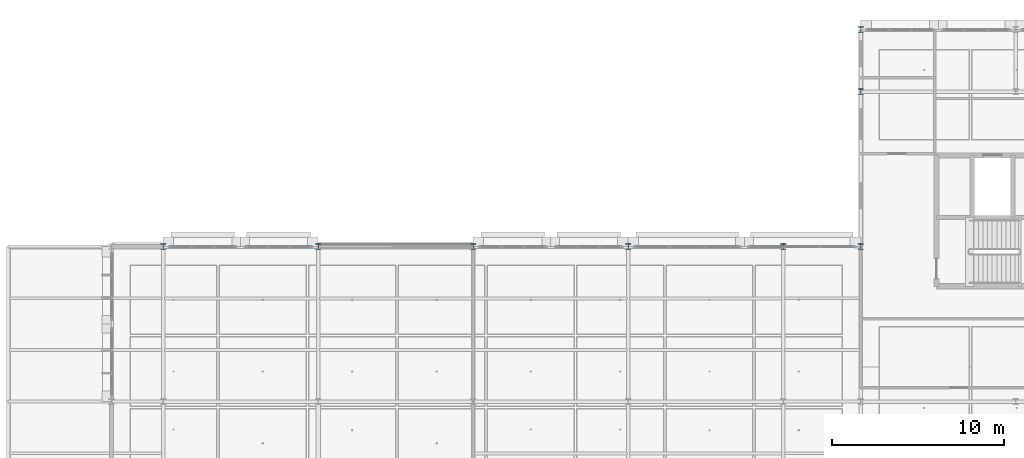
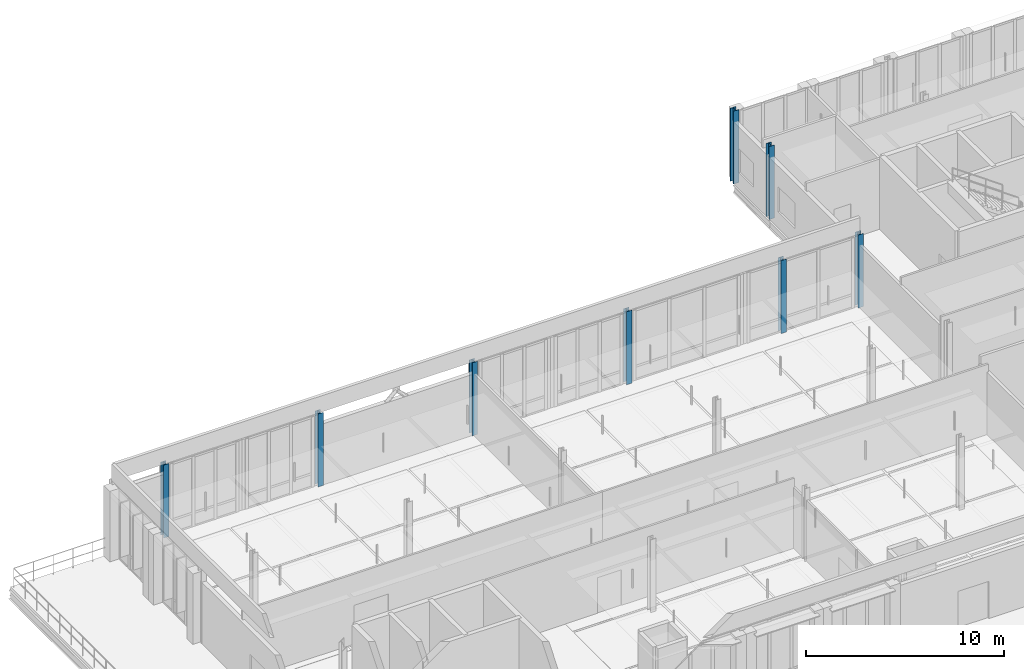
# One storey, part 12 of 89: 8 columns.
"""IFC4 building model written with IfcOpenShell, lengths in metres."""

from ifc_helpers import new_model, si_unit, direction, frame, origin, origin_2d, place, context, subcontext, project, spatial, i_section, extrude, material, material_profile, profile_set, type_object, element, save


model = new_model("IFC4")

# Units and contexts
model_context = context("Model", 3, precision=1e-05, world=origin(), true_north=direction((0.0, 1.0)))
body_context = subcontext(model_context, "Body", "Model", "MODEL_VIEW")
ifc_project = project(units=[si_unit("LENGTHUNIT", "METRE"), si_unit("AREAUNIT", "SQUARE_METRE"), si_unit("VOLUMEUNIT", "CUBIC_METRE"), si_unit("PLANEANGLEUNIT", "RADIAN"), si_unit("MASSUNIT", "GRAM", prefix="KILO"), si_unit("THERMODYNAMICTEMPERATUREUNIT", "KELVIN"), si_unit("POWERUNIT", "WATT")], contexts=[model_context])

# Site, building, storey
site_placement = place(None, origin())
site = spatial("IfcSite", under=ifc_project, at=site_placement, CompositionType="ELEMENT")
building_placement = place(site_placement, origin())
building = spatial("IfcBuilding", under=site, at=building_placement, Name="Tallowbark Science Centre", CompositionType="ELEMENT")
storey_placement = place(building_placement, frame((0.0, 0.0, 14.39990234375)))
storey = spatial("IfcBuildingStorey", under=building, at=storey_placement, Name="L03", CompositionType="ELEMENT", Elevation=14.39990234375)

# Columns
ifc_material = material(Name="Structural Steel Grade 300PLUS (300 MPa)", Category="steel")
ifc_material_profile_1 = material_profile(ifc_material, i_section(OverallWidth=0.311279296875, OverallDepth=0.3271484375, WebThickness=0.015625, FlangeThickness=0.02490234375, FilletRadius=0.0166015625, at=origin_2d()), Name="310UC158")
ifc_profile_set_1 = profile_set([ifc_material_profile_1], Name="Structural Steel Grade 300PLUS (300 MPa)")
column_type_1 = type_object("IfcColumnType", Name="COL-UC310A", PredefinedType="COLUMN", material=ifc_profile_set_1)
for number, where, z_axis, x_axis, name in (
    (1, (112.5, 108.0, 0.0), (0.0, 0.0, 1.0), (1.0, 0.0, 0.0), "Column OBS-0_4 L03"),
    (2, (112.5, 111.60009765625, 0.0), (0.0, 0.0, 1.0), (1.0, 0.0, 0.0), "Column OBS-0_5 L03"),
):
    element("IfcColumn", number, at=place(storey_placement, frame(where, z_axis=z_axis, x_axis=x_axis)), inside=storey, type_object=column_type_1, Name=name, PredefinedType="COLUMN", context=body_context, shape_type="SweptSolid", body=[
        extrude(i_section(OverallWidth=0.311279296875, OverallDepth=0.3271484375, WebThickness=0.015625, FlangeThickness=0.02490234375, FilletRadius=0.0166015625, at=origin_2d()), origin(), (0.0, 0.0, 1.0), 4.5),
    ])
ifc_material_profile_2 = material_profile(ifc_material, i_section(OverallWidth=0.307373046875, OverallDepth=0.314697265625, WebThickness=0.011962890625, FlangeThickness=0.018798828125, FilletRadius=0.0166015625, at=origin_2d()), Name="310UC118")
ifc_profile_set_2 = profile_set([ifc_material_profile_2], Name="Structural Steel Grade 300PLUS (300 MPa)")
column_type_2 = type_object("IfcColumnType", Name="COL-UC310C", PredefinedType="COLUMN", material=ifc_profile_set_2)
for number, where, z_axis, x_axis, name in (
    (3, (72.0, 99.0, 0.0), (0.0, 0.0, 1.0), (1.0, 0.0, 0.0), "Column LAB-3_3 L03"),
    (4, (81.0, 99.0, 0.0), (0.0, 0.0, 1.0), (1.0, 0.0, 0.0), "Column LAB-4_3 L03"),
    (5, (90.0, 99.0, 0.0), (0.0, 0.0, 1.0), (1.0, 0.0, 0.0), "Column LAB-5_3 L03"),
    (6, (99.0, 99.0, 0.0), (0.0, 0.0, 1.0), (1.0, 0.0, 0.0), "Column LAB-6_3 L03"),
    (7, (108.0, 99.0, 0.0), (0.0, 0.0, 1.0), (1.0, 0.0, 0.0), "Column LAB-7_3 L03"),
    (8, (112.5, 99.0, 0.0), (0.0, 0.0, 1.0), (1.0, 0.0, 0.0), "Column LAB-8_3 L03"),
):
    element("IfcColumn", number, at=place(storey_placement, frame(where, z_axis=z_axis, x_axis=x_axis)), inside=storey, type_object=column_type_2, Name=name, PredefinedType="COLUMN", context=body_context, shape_type="SweptSolid", body=[
        extrude(i_section(OverallWidth=0.307373046875, OverallDepth=0.314697265625, WebThickness=0.011962890625, FlangeThickness=0.018798828125, FilletRadius=0.0166015625, at=origin_2d()), origin(), (0.0, 0.0, 1.0), 4.5),
    ])

save(model, "model.ifc")
